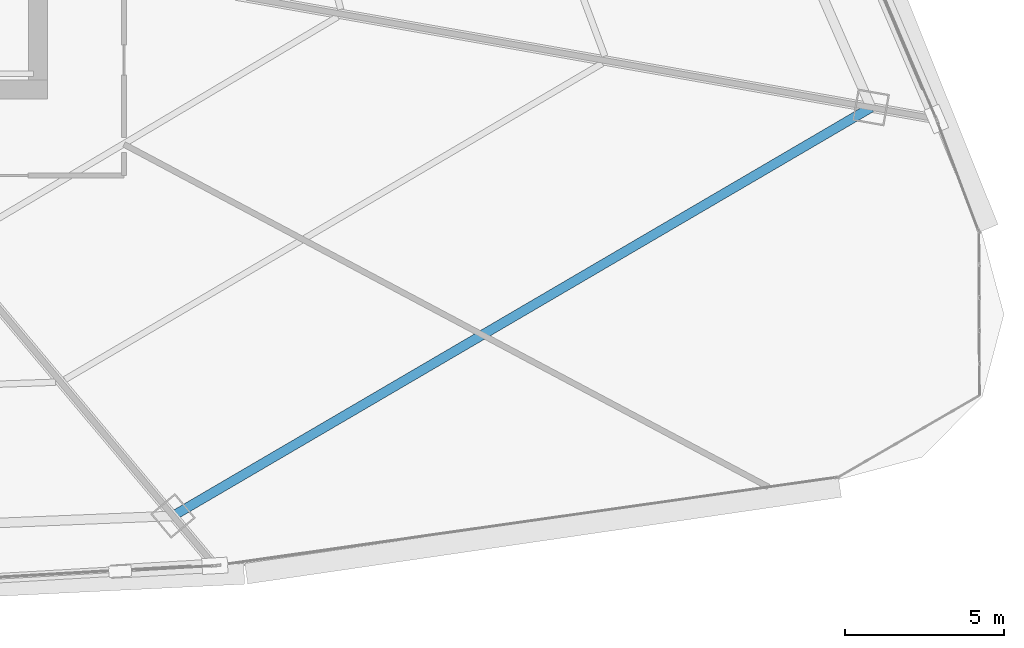
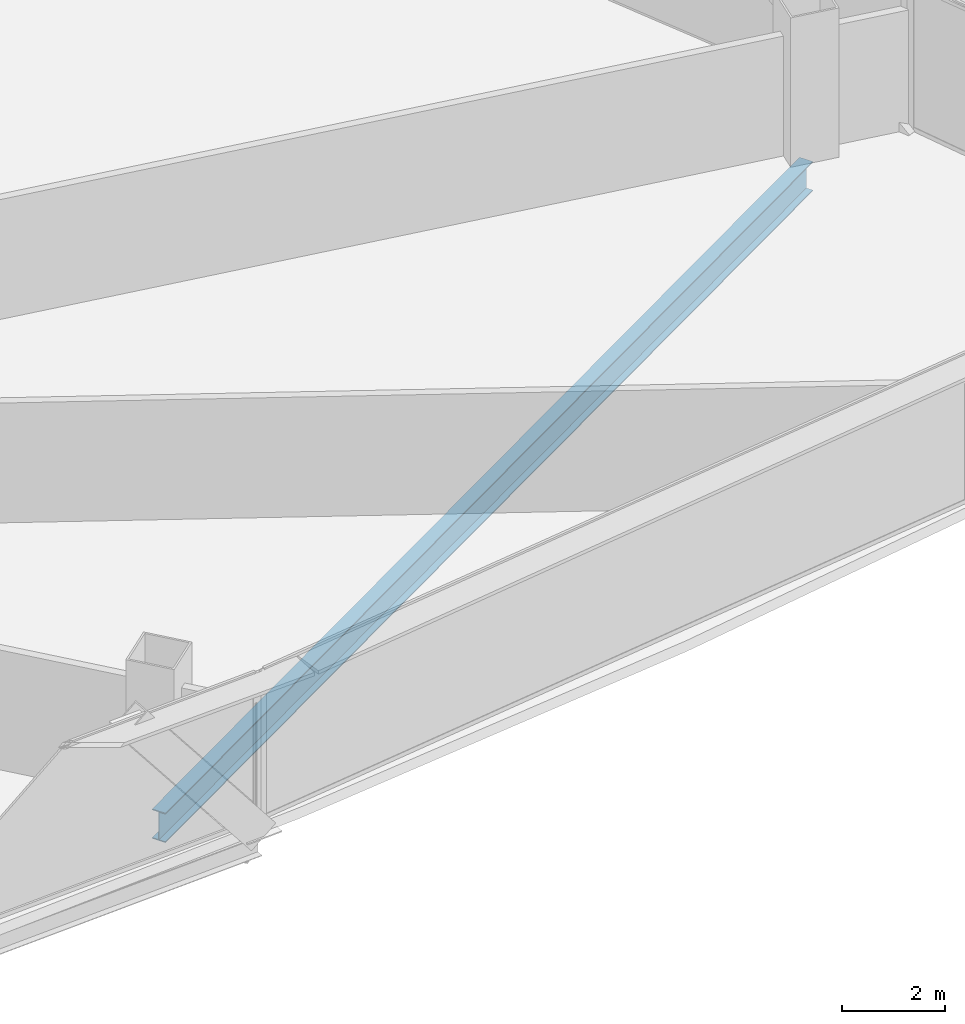
# One storey, part 21 of 39: 1 beam.
"""IFC4 building model written with IfcOpenShell, lengths in metres."""

from ifc_helpers import new_model, si_unit, direction, frame, origin, origin_2d, place, context, subcontext, project, spatial, i_section, extrude, source, transform, mapped, material, material_profile, profile_set, type_object, element, save


model = new_model("IFC4")

# Units and contexts
model_context = context("Model", 3, precision=1e-05, world=origin(), true_north=direction((0.0, 1.0)))
body_context = subcontext(model_context, "Body", "Model", "MODEL_VIEW")
ifc_project = project(units=[si_unit("LENGTHUNIT", "METRE"), si_unit("AREAUNIT", "SQUARE_METRE"), si_unit("VOLUMEUNIT", "CUBIC_METRE"), si_unit("PLANEANGLEUNIT", "RADIAN"), si_unit("MASSUNIT", "GRAM", prefix="KILO"), si_unit("THERMODYNAMICTEMPERATUREUNIT", "KELVIN"), si_unit("POWERUNIT", "WATT")], contexts=[model_context])

# Site, building, storey
site_placement = place(None, origin())
site = spatial("IfcSite", under=ifc_project, at=site_placement, CompositionType="ELEMENT")
building_placement = place(site_placement, origin())
building = spatial("IfcBuilding", under=site, at=building_placement, Name="Yunzhuo Pagoda Commons", CompositionType="ELEMENT")
storey_placement = place(building_placement, frame((0.0, 0.0, 96.3798828125)))
storey = spatial("IfcBuildingStorey", under=building, at=storey_placement, Name="L24", CompositionType="ELEMENT", Elevation=96.3798828125)

# Beam
ifc_material = material(Name="Structural steel Q355B", Category="steel")
ifc_material_profile = material_profile(ifc_material, i_section(OverallWidth=0.300048828125, OverallDepth=0.699951171875, WebThickness=0.012939453125, FlangeThickness=0.02392578125, at=origin_2d()), Name="Structural steel Q355B")
ifc_profile_set = profile_set([ifc_material_profile], Name="Structural steel Q355B")
beam_type = type_object("IfcBeamType", Name="B-RG1 Beam HN 700x300x13x24", PredefinedType="BEAM", material=ifc_profile_set)
shared_shape = source(origin(), body_context, "Body", "SweptSolid", [
    extrude(i_section(OverallWidth=0.300048828125, OverallDepth=0.699951171875, WebThickness=0.012939453125, FlangeThickness=0.02392578125, at=origin_2d()), origin(), (0.0, 0.0, 1.0), 25.3935546875),
])
beam_placement = place(storey_placement, frame((64.43603515625, 14.1123046875, -0.609619140625), z_axis=(0.863085207128, 0.505058338449, 0.0), x_axis=(-0.505058338449, 0.863085207128, 0.0)))
element("IfcBeam", 1, at=beam_placement, inside=storey, type_object=beam_type, Name="L24 column-ring beam 4", PredefinedType="BEAM", context=body_context, shape_type="MappedRepresentation", body=[
    mapped(shared_shape, transform((0.0, 0.0, 0.0), scale=1.0)),
])

save(model, "model.ifc")
